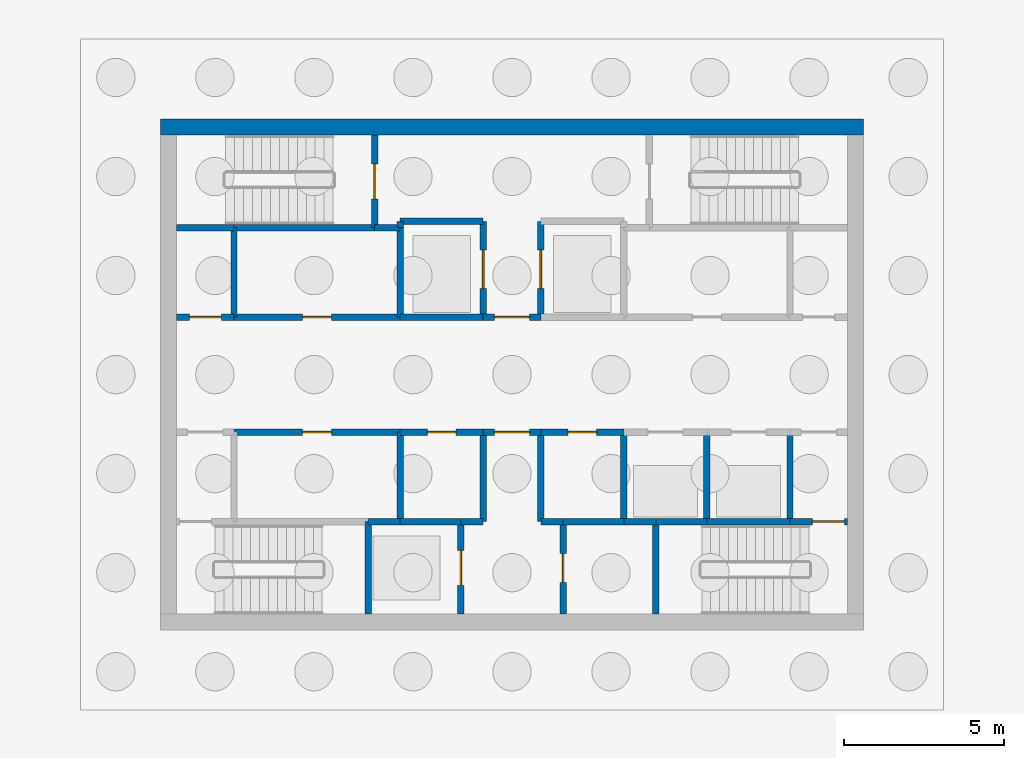
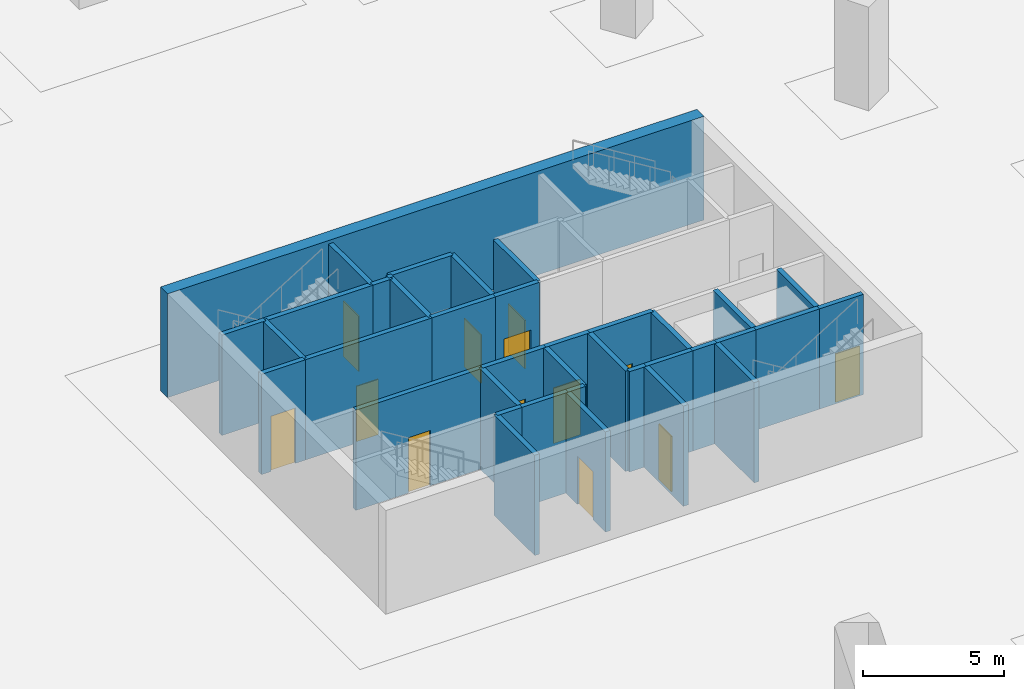
# One storey, part 4 of 8: 38 walls, 13 doors, 13 openings.
"""IFC4 building model written with IfcOpenShell, lengths in metres."""

from ifc_helpers import new_model, si_unit, direction, frame, frame_2d, origin, place, context, subcontext, project, spatial, rectangle, extrude, material, layer, layer_set, type_object, element, fill, save


model = new_model("IFC4")

# Units and contexts
model_context = context("Model", 3, precision=1e-05, world=origin(), true_north=direction((0.0, 1.0)))
body_context = subcontext(model_context, "Body", "Model", "MODEL_VIEW")
ifc_project = project(units=[si_unit("LENGTHUNIT", "METRE"), si_unit("AREAUNIT", "SQUARE_METRE"), si_unit("VOLUMEUNIT", "CUBIC_METRE"), si_unit("PLANEANGLEUNIT", "RADIAN"), si_unit("MASSUNIT", "GRAM", prefix="KILO")], contexts=[model_context])

# Site, building, storey
site_placement = place(None, origin())
site = spatial("IfcSite", under=ifc_project, at=site_placement, CompositionType="ELEMENT")
building_placement = place(site_placement, origin())
building = spatial("IfcBuilding", under=site, at=building_placement, Name="Sierra Prisma Convention Tower", CompositionType="ELEMENT")
storey_placement = place(building_placement, frame((0.0, 0.0, -9.0)))
storey = spatial("IfcBuildingStorey", under=building, at=storey_placement, Name="B2", CompositionType="ELEMENT", Elevation=-9.0)

# Wall, opening, door
ifc_material_1 = material(Name="Concrete C30/37", Category="concrete")
ifc_layer_1 = layer(ifc_material_1, 0.199951171875)
ifc_layer_set_1 = layer_set([ifc_layer_1], Name="Core wall RC 200 C30/37")
wall_type_1 = type_object("IfcWallType", Name="Core wall RC 200 C30/37", PredefinedType="SOLIDWALL", material=ifc_layer_set_1)
wall_1_placement = place(storey_placement, frame((-8.699951171875, 1.800048828125, 0.0), z_axis=(0.0, 0.0, 1.0), x_axis=(-1.0, 0.0, 0.0)))
wall_1 = element("IfcWall", 1, at=wall_1_placement, inside=storey, type_object=wall_type_1, Name="Core wall B2 3", PredefinedType="SOLIDWALL", context=body_context, shape_type="SweptSolid", body=[
    extrude(rectangle(XDim=1.800048828125, YDim=0.199951171875, at=frame_2d((0.89990234375, 0.0))), origin(), (0.0, 0.0, 1.0), 4.35009765625),
])
opening_1_placement = place(wall_1_placement, frame((0.39990234375, 0.0, 0.0)))
opening_1 = element("IfcOpeningElement", 2, at=opening_1_placement, cuts=wall_1, Name="Opening B2-D010", PredefinedType="OPENING", context=body_context, shape_type="SweptSolid", body=[
    extrude(rectangle(XDim=1.0, YDim=2.39990234375, at=frame_2d((0.5, 1.199951171875))), frame((0.0, 0.10009765625, 0.0), z_axis=(0.0, -1.0, 0.0), x_axis=(1.0, 0.0, 0.0)), (0.0, 0.0, 1.0), 0.199951171875),
])
ifc_material_2 = material(Name="Steel fire door leaf", Category="steel")
door_type_1 = type_object("IfcDoorType", Name="Door 1000x2400 FD60S", OperationType="SINGLE_SWING_LEFT", PredefinedType="DOOR", material=ifc_material_2)
door_1_placement = place(opening_1_placement, origin())
door_1 = element("IfcDoor", 3, at=door_1_placement, inside=storey, type_object=door_type_1, Name="Door B2 10", OperationType="SINGLE_SWING_LEFT", OverallHeight=2.39990234375, OverallWidth=1.0, PredefinedType="DOOR", context=body_context, shape_type="SweptSolid", body=[
    extrude(rectangle(XDim=1.0, YDim=2.39990234375, at=frame_2d((0.5, 1.199951171875))), frame((0.0, 0.02490234375, 0.0), z_axis=(0.0, -1.0, 0.0), x_axis=(1.0, 0.0, 0.0)), (0.0, 0.0, 1.0), 0.050048828125),
])
fill(opening_1, door_1)

# Wall
wall_2_placement = place(storey_placement, frame((-8.699951171875, 4.60009765625, 0.0), z_axis=(0.0, 0.0, 1.0), x_axis=(-1.0, 0.0, 0.0)))
element("IfcWall", 4, at=wall_2_placement, inside=storey, type_object=wall_type_1, Name="Core wall B2 4", PredefinedType="SOLIDWALL", context=body_context, shape_type="SweptSolid", body=[
    extrude(rectangle(XDim=1.800048828125, YDim=0.199951171875, at=frame_2d((0.89990234375, 0.0))), origin(), (0.0, 0.0, 1.0), 4.35009765625),
])

# Wall, opening, door
wall_3_placement = place(storey_placement, frame((-3.5, -1.800048828125, 0.0), z_axis=(0.0, 0.0, 1.0), x_axis=(-1.0, 0.0, 0.0)))
wall_3 = element("IfcWall", 5, at=wall_3_placement, inside=storey, type_object=wall_type_1, Name="Core wall B2 7", PredefinedType="SOLIDWALL", context=body_context, shape_type="SweptSolid", body=[
    extrude(rectangle(XDim=5.199951171875, YDim=0.199951171875, at=frame_2d((2.60009765625, 0.0))), origin(), (0.0, 0.0, 1.0), 4.35009765625),
])
opening_2_placement = place(wall_3_placement, frame((2.14990234375, 0.0, 0.0)))
opening_2 = element("IfcOpeningElement", 6, at=opening_2_placement, cuts=wall_3, Name="Opening B2-D017", PredefinedType="OPENING", context=body_context, shape_type="SweptSolid", body=[
    extrude(rectangle(XDim=0.89990234375, YDim=2.39990234375, at=frame_2d((0.449951171875, 1.199951171875))), frame((0.0, 0.10009765625, 0.0), z_axis=(0.0, -1.0, 0.0), x_axis=(1.0, 0.0, 0.0)), (0.0, 0.0, 1.0), 0.199951171875),
])
ifc_material_3 = material(Name="Steel fire door leaf", Category="steel")
door_type_2 = type_object("IfcDoorType", Name="Door 900x2400 FD30S", OperationType="SINGLE_SWING_LEFT", PredefinedType="DOOR", material=ifc_material_3)
door_2_placement = place(opening_2_placement, origin())
door_2 = element("IfcDoor", 7, at=door_2_placement, inside=storey, type_object=door_type_2, Name="Door B2 17", OperationType="SINGLE_SWING_RIGHT", OverallHeight=2.39990234375, OverallWidth=0.89990234375, PredefinedType="DOOR", context=body_context, shape_type="SweptSolid", body=[
    extrude(rectangle(XDim=0.89990234375, YDim=2.39990234375, at=frame_2d((0.449951171875, 1.199951171875))), frame((0.0, 0.02490234375, 0.0), z_axis=(0.0, -1.0, 0.0), x_axis=(1.0, 0.0, 0.0)), (0.0, 0.0, 1.0), 0.050048828125),
])
fill(opening_2, door_2)

wall_4_placement = place(storey_placement, frame((-8.699951171875, 1.800048828125, 0.0), z_axis=(0.0, 0.0, 1.0), x_axis=(1.0, 0.0, 0.0)))
wall_4 = element("IfcWall", 8, at=wall_4_placement, inside=storey, type_object=wall_type_1, Name="Core wall B2 8", PredefinedType="SOLIDWALL", context=body_context, shape_type="SweptSolid", body=[
    extrude(rectangle(XDim=5.199951171875, YDim=0.199951171875, at=frame_2d((2.60009765625, 0.0))), origin(), (0.0, 0.0, 1.0), 4.35009765625),
])
opening_3_placement = place(wall_4_placement, frame((2.14990234375, 0.0, 0.0)))
opening_3 = element("IfcOpeningElement", 9, at=opening_3_placement, cuts=wall_4, Name="Opening B2-D020", PredefinedType="OPENING", context=body_context, shape_type="SweptSolid", body=[
    extrude(rectangle(XDim=0.89990234375, YDim=2.39990234375, at=frame_2d((0.449951171875, 1.199951171875))), frame((0.0, 0.10009765625, 0.0), z_axis=(0.0, -1.0, 0.0), x_axis=(1.0, 0.0, 0.0)), (0.0, 0.0, 1.0), 0.199951171875),
])
door_3_placement = place(opening_3_placement, origin())
door_3 = element("IfcDoor", 10, at=door_3_placement, inside=storey, type_object=door_type_2, Name="Door B2 20", OperationType="SINGLE_SWING_LEFT", OverallHeight=2.39990234375, OverallWidth=0.89990234375, PredefinedType="DOOR", context=body_context, shape_type="SweptSolid", body=[
    extrude(rectangle(XDim=0.89990234375, YDim=2.39990234375, at=frame_2d((0.449951171875, 1.199951171875))), frame((0.0, 0.02490234375, 0.0), z_axis=(0.0, -1.0, 0.0), x_axis=(1.0, 0.0, 0.0)), (0.0, 0.0, 1.0), 0.050048828125),
])
fill(opening_3, door_3)

# Walls
wall_5_placement = place(storey_placement, frame((-8.699951171875, 4.60009765625, 0.0), z_axis=(0.0, 0.0, 1.0), x_axis=(0.0, -1.0, 0.0)))
element("IfcWall", 11, at=wall_5_placement, inside=storey, type_object=wall_type_1, Name="Core wall B2 9", PredefinedType="SOLIDWALL", context=body_context, shape_type="SweptSolid", body=[
    extrude(rectangle(XDim=2.800048828125, YDim=0.199951171875, at=frame_2d((1.39990234375, 0.0))), origin(), (0.0, 0.0, 1.0), 4.35009765625),
])
wall_6_placement = place(storey_placement, frame((-4.300048828125, 4.60009765625, 0.0), z_axis=(0.0, 0.0, 1.0), x_axis=(-1.0, 0.0, 0.0)))
element("IfcWall", 12, at=wall_6_placement, inside=storey, type_object=wall_type_1, Name="Core wall B2 10", PredefinedType="SOLIDWALL", context=body_context, shape_type="SweptSolid", body=[
    extrude(rectangle(XDim=4.39990234375, YDim=0.199951171875, at=frame_2d((2.199951171875, 0.0))), origin(), (0.0, 0.0, 1.0), 4.35009765625),
])
wall_7_placement = place(storey_placement, frame((-4.5, -4.60009765625, 0.0), z_axis=(0.0, 0.0, 1.0), x_axis=(0.0, -1.0, 0.0)))
element("IfcWall", 13, at=wall_7_placement, inside=storey, type_object=wall_type_1, Name="Core wall B2 11", PredefinedType="SOLIDWALL", context=body_context, shape_type="SweptSolid", body=[
    extrude(rectangle(XDim=2.89990234375, YDim=0.199951171875, at=frame_2d((1.449951171875, 0.0))), origin(), (0.0, 0.0, 1.0), 4.35009765625),
])
wall_8_placement = place(storey_placement, frame((-4.5, -4.60009765625, 0.0), z_axis=(0.0, 0.0, 1.0), x_axis=(1.0, 0.0, 0.0)))
element("IfcWall", 14, at=wall_8_placement, inside=storey, type_object=wall_type_1, Name="Core wall B2 12", PredefinedType="SOLIDWALL", context=body_context, shape_type="SweptSolid", body=[
    extrude(rectangle(XDim=1.0, YDim=0.199951171875, at=frame_2d((0.5, 0.0))), origin(), (0.0, 0.0, 1.0), 4.35009765625),
])
wall_9_placement = place(storey_placement, frame((-3.5, 4.60009765625, 0.0), z_axis=(0.0, 0.0, 1.0), x_axis=(-1.0, 0.0, 0.0)))
element("IfcWall", 15, at=wall_9_placement, inside=storey, type_object=wall_type_1, Name="Core wall B2 13", PredefinedType="SOLIDWALL", context=body_context, shape_type="SweptSolid", body=[
    extrude(rectangle(XDim=0.800048828125, YDim=0.199951171875, at=frame_2d((0.39990234375, 0.0))), origin(), (0.0, 0.0, 1.0), 4.35009765625),
])

# Wall, opening, door
wall_10_placement = place(storey_placement, frame((-4.300048828125, 4.60009765625, 0.0), z_axis=(0.0, 0.0, 1.0), x_axis=(0.0, 1.0, 0.0)))
wall_10 = element("IfcWall", 16, at=wall_10_placement, inside=storey, type_object=wall_type_1, Name="Core wall B2 14", PredefinedType="SOLIDWALL", context=body_context, shape_type="SweptSolid", body=[
    extrude(rectangle(XDim=2.89990234375, YDim=0.199951171875, at=frame_2d((1.449951171875, 0.0))), origin(), (0.0, 0.0, 1.0), 4.35009765625),
])
opening_4_placement = place(wall_10_placement, frame((0.89990234375, 0.0, 0.0)))
opening_4 = element("IfcOpeningElement", 17, at=opening_4_placement, cuts=wall_10, Name="Opening B2-D014", PredefinedType="OPENING", context=body_context, shape_type="SweptSolid", body=[
    extrude(rectangle(XDim=1.10009765625, YDim=2.39990234375, at=frame_2d((0.550048828125, 1.199951171875))), frame((0.0, 0.10009765625, 0.0), z_axis=(0.0, -1.0, 0.0), x_axis=(1.0, 0.0, 0.0)), (0.0, 0.0, 1.0), 0.199951171875),
])
ifc_material_4 = material(Name="Steel fire door leaf", Category="steel")
door_type_3 = type_object("IfcDoorType", Name="Door 1100x2400 FD90S", OperationType="SINGLE_SWING_LEFT", PredefinedType="DOOR", material=ifc_material_4)
door_4_placement = place(opening_4_placement, origin())
door_4 = element("IfcDoor", 18, at=door_4_placement, inside=storey, type_object=door_type_3, Name="Door B2 14", OperationType="SINGLE_SWING_RIGHT", OverallHeight=2.39990234375, OverallWidth=1.10009765625, PredefinedType="DOOR", context=body_context, shape_type="SweptSolid", body=[
    extrude(rectangle(XDim=1.10009765625, YDim=2.39990234375, at=frame_2d((0.550048828125, 1.199951171875))), frame((0.0, 0.02490234375, 0.0), z_axis=(0.0, -1.0, 0.0), x_axis=(1.0, 0.0, 0.0)), (0.0, 0.0, 1.0), 0.050048828125),
])
fill(opening_4, door_4)

# Walls
wall_11_placement = place(storey_placement, frame((-3.5, -4.60009765625, 0.0), z_axis=(0.0, 0.0, 1.0), x_axis=(1.0, 0.0, 0.0)))
element("IfcWall", 19, at=wall_11_placement, inside=storey, type_object=wall_type_1, Name="Core wall B2 15", PredefinedType="SOLIDWALL", context=body_context, shape_type="SweptSolid", body=[
    extrude(rectangle(XDim=1.89990234375, YDim=0.199951171875, at=frame_2d((0.949951171875, 0.0))), origin(), (0.0, 0.0, 1.0), 4.35009765625),
])
wall_12_placement = place(storey_placement, frame((-3.5, -4.60009765625, 0.0), z_axis=(0.0, 0.0, 1.0), x_axis=(0.0, 1.0, 0.0)))
element("IfcWall", 20, at=wall_12_placement, inside=storey, type_object=wall_type_1, Name="Core wall B2 16", PredefinedType="SOLIDWALL", context=body_context, shape_type="SweptSolid", body=[
    extrude(rectangle(XDim=2.800048828125, YDim=0.199951171875, at=frame_2d((1.39990234375, 0.0))), origin(), (0.0, 0.0, 1.0), 4.35009765625),
])

# Wall, opening, door
wall_13_placement = place(storey_placement, frame((-0.89990234375, -1.800048828125, 0.0), z_axis=(0.0, 0.0, 1.0), x_axis=(-1.0, 0.0, 0.0)))
wall_13 = element("IfcWall", 21, at=wall_13_placement, inside=storey, type_object=wall_type_1, Name="Core wall B2 17", PredefinedType="SOLIDWALL", context=body_context, shape_type="SweptSolid", body=[
    extrude(rectangle(XDim=2.60009765625, YDim=0.199951171875, at=frame_2d((1.300048828125, 0.0))), origin(), (0.0, 0.0, 1.0), 4.35009765625),
])
opening_5_placement = place(wall_13_placement, frame((0.85009765625, 0.0, 0.0)))
opening_5 = element("IfcOpeningElement", 22, at=opening_5_placement, cuts=wall_13, Name="Opening B2-D018", PredefinedType="OPENING", context=body_context, shape_type="SweptSolid", body=[
    extrude(rectangle(XDim=0.89990234375, YDim=2.39990234375, at=frame_2d((0.449951171875, 1.199951171875))), frame((0.0, 0.10009765625, 0.0), z_axis=(0.0, -1.0, 0.0), x_axis=(1.0, 0.0, 0.0)), (0.0, 0.0, 1.0), 0.199951171875),
])
door_5_placement = place(opening_5_placement, origin())
door_5 = element("IfcDoor", 23, at=door_5_placement, inside=storey, type_object=door_type_2, Name="Door B2 18", OperationType="SINGLE_SWING_LEFT", OverallHeight=2.39990234375, OverallWidth=0.89990234375, PredefinedType="DOOR", context=body_context, shape_type="SweptSolid", body=[
    extrude(rectangle(XDim=0.89990234375, YDim=2.39990234375, at=frame_2d((0.449951171875, 1.199951171875))), frame((0.0, 0.02490234375, 0.0), z_axis=(0.0, -1.0, 0.0), x_axis=(1.0, 0.0, 0.0)), (0.0, 0.0, 1.0), 0.050048828125),
])
fill(opening_5, door_5)

# Walls
wall_14_placement = place(storey_placement, frame((-0.89990234375, 1.800048828125, 0.0), z_axis=(0.0, 0.0, 1.0), x_axis=(-1.0, 0.0, 0.0)))
element("IfcWall", 24, at=wall_14_placement, inside=storey, type_object=wall_type_1, Name="Core wall B2 18", PredefinedType="SOLIDWALL", context=body_context, shape_type="SweptSolid", body=[
    extrude(rectangle(XDim=2.60009765625, YDim=0.199951171875, at=frame_2d((1.300048828125, 0.0))), origin(), (0.0, 0.0, 1.0), 4.35009765625),
])
wall_15_placement = place(storey_placement, frame((-3.5, 1.800048828125, 0.0), z_axis=(0.0, 0.0, 1.0), x_axis=(0.0, 1.0, 0.0)))
element("IfcWall", 25, at=wall_15_placement, inside=storey, type_object=wall_type_1, Name="Core wall B2 19", PredefinedType="SOLIDWALL", context=body_context, shape_type="SweptSolid", body=[
    extrude(rectangle(XDim=2.800048828125, YDim=0.199951171875, at=frame_2d((1.39990234375, 0.0))), origin(), (0.0, 0.0, 1.0), 4.35009765625),
])

# Wall, opening, door
wall_16_placement = place(storey_placement, frame((-0.89990234375, 1.800048828125, 0.0), z_axis=(0.0, 0.0, 1.0), x_axis=(0.0, 1.0, 0.0)))
wall_16 = element("IfcWall", 26, at=wall_16_placement, inside=storey, type_object=wall_type_1, Name="Core wall B2 20", PredefinedType="SOLIDWALL", context=body_context, shape_type="SweptSolid", body=[
    extrude(rectangle(XDim=3.0, YDim=0.199951171875, at=frame_2d((1.5, 0.0))), origin(), (0.0, 0.0, 1.0), 4.35009765625),
])
opening_6_placement = place(wall_16_placement, frame((0.89990234375, 0.0, 0.0)))
opening_6 = element("IfcOpeningElement", 27, at=opening_6_placement, cuts=wall_16, Name="Opening B2-D003", PredefinedType="OPENING", context=body_context, shape_type="SweptSolid", body=[
    extrude(rectangle(XDim=1.199951171875, YDim=2.10009765625, at=frame_2d((0.60009765625, 1.050048828125))), frame((0.0, 0.10009765625, 0.0), z_axis=(0.0, -1.0, 0.0), x_axis=(1.0, 0.0, 0.0)), (0.0, 0.0, 1.0), 0.199951171875),
])
ifc_material_5 = material(Name="Steel fire door leaf", Category="steel")
door_type_4 = type_object("IfcDoorType", Name="Door 1200x2100 EI 90 sliding lift landing", OperationType="SLIDING_TO_LEFT", PredefinedType="DOOR", material=ifc_material_5)
door_6_placement = place(opening_6_placement, origin())
door_6 = element("IfcDoor", 28, at=door_6_placement, inside=storey, type_object=door_type_4, Name="Door B2 3", OperationType="SLIDING_TO_LEFT", OverallHeight=2.10009765625, OverallWidth=1.199951171875, PredefinedType="DOOR", context=body_context, shape_type="SweptSolid", body=[
    extrude(rectangle(XDim=1.199951171875, YDim=2.10009765625, at=frame_2d((0.60009765625, 1.050048828125))), frame((0.0, 0.02490234375, 0.0), z_axis=(0.0, -1.0, 0.0), x_axis=(1.0, 0.0, 0.0)), (0.0, 0.0, 1.0), 0.050048828125),
])
fill(opening_6, door_6)

# Walls
wall_17_placement = place(storey_placement, frame((-0.89990234375, 4.800048828125, 0.0), z_axis=(0.0, 0.0, 1.0), x_axis=(-1.0, 0.0, 0.0)))
element("IfcWall", 29, at=wall_17_placement, inside=storey, type_object=wall_type_1, Name="Core wall B2 21", PredefinedType="SOLIDWALL", context=body_context, shape_type="SweptSolid", body=[
    extrude(rectangle(XDim=2.60009765625, YDim=0.199951171875, at=frame_2d((1.300048828125, 0.0))), origin(), (0.0, 0.0, 1.0), 4.35009765625),
])
wall_18_placement = place(storey_placement, frame((-3.5, 4.800048828125, 0.0), z_axis=(0.0, 0.0, 1.0), x_axis=(0.0, -1.0, 0.0)))
element("IfcWall", 30, at=wall_18_placement, inside=storey, type_object=wall_type_1, Name="Core wall B2 22", PredefinedType="SOLIDWALL", context=body_context, shape_type="SweptSolid", body=[
    extrude(rectangle(XDim=0.199951171875, YDim=0.199951171875, at=frame_2d((0.10009765625, 0.0))), origin(), (0.0, 0.0, 1.0), 4.35009765625),
])

# Wall, opening, door
wall_19_placement = place(storey_placement, frame((-1.60009765625, -7.5, 0.0), z_axis=(0.0, 0.0, 1.0), x_axis=(0.0, 1.0, 0.0)))
wall_19 = element("IfcWall", 31, at=wall_19_placement, inside=storey, type_object=wall_type_1, Name="Core wall B2 23", PredefinedType="SOLIDWALL", context=body_context, shape_type="SweptSolid", body=[
    extrude(rectangle(XDim=2.89990234375, YDim=0.199951171875, at=frame_2d((1.449951171875, 0.0))), origin(), (0.0, 0.0, 1.0), 4.35009765625),
])
opening_7_placement = place(wall_19_placement, frame((0.89990234375, 0.0, 0.0)))
opening_7 = element("IfcOpeningElement", 32, at=opening_7_placement, cuts=wall_19, Name="Opening B2-D005", PredefinedType="OPENING", context=body_context, shape_type="SweptSolid", body=[
    extrude(rectangle(XDim=1.10009765625, YDim=2.10009765625, at=frame_2d((0.550048828125, 1.050048828125))), frame((0.0, 0.10009765625, 0.0), z_axis=(0.0, -1.0, 0.0), x_axis=(1.0, 0.0, 0.0)), (0.0, 0.0, 1.0), 0.199951171875),
])
ifc_material_6 = material(Name="Steel fire door leaf", Category="steel")
door_type_5 = type_object("IfcDoorType", Name="Door 1100x2100 EI 90 sliding lift landing", OperationType="SLIDING_TO_LEFT", PredefinedType="DOOR", material=ifc_material_6)
door_7_placement = place(opening_7_placement, origin())
door_7 = element("IfcDoor", 33, at=door_7_placement, inside=storey, type_object=door_type_5, Name="Door B2 5", OperationType="SLIDING_TO_LEFT", OverallHeight=2.10009765625, OverallWidth=1.10009765625, PredefinedType="DOOR", context=body_context, shape_type="SweptSolid", body=[
    extrude(rectangle(XDim=1.10009765625, YDim=2.10009765625, at=frame_2d((0.550048828125, 1.050048828125))), frame((0.0, 0.02490234375, 0.0), z_axis=(0.0, -1.0, 0.0), x_axis=(1.0, 0.0, 0.0)), (0.0, 0.0, 1.0), 0.050048828125),
])
fill(opening_7, door_7)

# Walls
wall_20_placement = place(storey_placement, frame((-1.60009765625, -4.60009765625, 0.0), z_axis=(0.0, 0.0, 1.0), x_axis=(1.0, 0.0, 0.0)))
element("IfcWall", 34, at=wall_20_placement, inside=storey, type_object=wall_type_1, Name="Core wall B2 24", PredefinedType="SOLIDWALL", context=body_context, shape_type="SweptSolid", body=[
    extrude(rectangle(XDim=0.7001953125, YDim=0.199951171875, at=frame_2d((0.35009765625, 0.0))), origin(), (0.0, 0.0, 1.0), 4.35009765625),
])
wall_21_placement = place(storey_placement, frame((-0.89990234375, -4.60009765625, 0.0), z_axis=(0.0, 0.0, 1.0), x_axis=(0.0, 1.0, 0.0)))
element("IfcWall", 35, at=wall_21_placement, inside=storey, type_object=wall_type_1, Name="Core wall B2 25", PredefinedType="SOLIDWALL", context=body_context, shape_type="SweptSolid", body=[
    extrude(rectangle(XDim=2.800048828125, YDim=0.199951171875, at=frame_2d((1.39990234375, 0.0))), origin(), (0.0, 0.0, 1.0), 4.35009765625),
])

# Wall, opening, door
wall_22_placement = place(storey_placement, frame((-0.89990234375, -1.800048828125, 0.0), z_axis=(0.0, 0.0, 1.0), x_axis=(1.0, 0.0, 0.0)))
wall_22 = element("IfcWall", 36, at=wall_22_placement, inside=storey, type_object=wall_type_1, Name="Core wall B2 26", PredefinedType="SOLIDWALL", context=body_context, shape_type="SweptSolid", body=[
    extrude(rectangle(XDim=1.7998046875, YDim=0.199951171875, at=frame_2d((0.89990234375, 0.0))), origin(), (0.0, 0.0, 1.0), 4.35009765625),
])
opening_8_placement = place(wall_22_placement, frame((0.35009765625, 0.0, 0.0)))
opening_8 = element("IfcOpeningElement", 37, at=opening_8_placement, cuts=wall_22, Name="Opening B2-D009", PredefinedType="OPENING", context=body_context, shape_type="SweptSolid", body=[
    extrude(rectangle(XDim=1.10009765625, YDim=2.39990234375, at=frame_2d((0.550048828125, 1.199951171875))), frame((0.0, 0.10009765625, 0.0), z_axis=(0.0, -1.0, 0.0), x_axis=(1.0, 0.0, 0.0)), (0.0, 0.0, 1.0), 0.199951171875),
])
ifc_material_7 = material(Name="Steel fire door leaf", Category="steel")
door_type_6 = type_object("IfcDoorType", Name="Door 1100x2400 FD30S", OperationType="SINGLE_SWING_LEFT", PredefinedType="DOOR", material=ifc_material_7)
door_8_placement = place(opening_8_placement, origin())
door_8 = element("IfcDoor", 38, at=door_8_placement, inside=storey, type_object=door_type_6, Name="Door B2 9", OperationType="SINGLE_SWING_LEFT", OverallHeight=2.39990234375, OverallWidth=1.10009765625, PredefinedType="DOOR", context=body_context, shape_type="SweptSolid", body=[
    extrude(rectangle(XDim=1.10009765625, YDim=2.39990234375, at=frame_2d((0.550048828125, 1.199951171875))), frame((0.0, 0.02490234375, 0.0), z_axis=(0.0, -1.0, 0.0), x_axis=(1.0, 0.0, 0.0)), (0.0, 0.0, 1.0), 0.050048828125),
])
fill(opening_8, door_8)

wall_23_placement = place(storey_placement, frame((0.89990234375, 1.800048828125, 0.0), z_axis=(0.0, 0.0, 1.0), x_axis=(-1.0, 0.0, 0.0)))
wall_23 = element("IfcWall", 39, at=wall_23_placement, inside=storey, type_object=wall_type_1, Name="Core wall B2 27", PredefinedType="SOLIDWALL", context=body_context, shape_type="SweptSolid", body=[
    extrude(rectangle(XDim=1.7998046875, YDim=0.199951171875, at=frame_2d((0.89990234375, 0.0))), origin(), (0.0, 0.0, 1.0), 4.35009765625),
])
opening_9_placement = place(wall_23_placement, frame((0.35009765625, 0.0, 0.0)))
opening_9 = element("IfcOpeningElement", 40, at=opening_9_placement, cuts=wall_23, Name="Opening B2-D008", PredefinedType="OPENING", context=body_context, shape_type="SweptSolid", body=[
    extrude(rectangle(XDim=1.10009765625, YDim=2.39990234375, at=frame_2d((0.550048828125, 1.199951171875))), frame((0.0, 0.10009765625, 0.0), z_axis=(0.0, -1.0, 0.0), x_axis=(1.0, 0.0, 0.0)), (0.0, 0.0, 1.0), 0.199951171875),
])
ifc_material_8 = material(Name="Steel fire door leaf", Category="steel")
door_type_7 = type_object("IfcDoorType", Name="Door 1100x2400 FD60S", OperationType="SINGLE_SWING_LEFT", PredefinedType="DOOR", material=ifc_material_8)
door_9_placement = place(opening_9_placement, origin())
door_9 = element("IfcDoor", 41, at=door_9_placement, inside=storey, type_object=door_type_7, Name="Door B2 8", OperationType="SINGLE_SWING_LEFT", OverallHeight=2.39990234375, OverallWidth=1.10009765625, PredefinedType="DOOR", context=body_context, shape_type="SweptSolid", body=[
    extrude(rectangle(XDim=1.10009765625, YDim=2.39990234375, at=frame_2d((0.550048828125, 1.199951171875))), frame((0.0, 0.02490234375, 0.0), z_axis=(0.0, -1.0, 0.0), x_axis=(1.0, 0.0, 0.0)), (0.0, 0.0, 1.0), 0.050048828125),
])
fill(opening_9, door_9)

wall_24_placement = place(storey_placement, frame((3.5, -1.800048828125, 0.0), z_axis=(0.0, 0.0, 1.0), x_axis=(-1.0, 0.0, 0.0)))
wall_24 = element("IfcWall", 42, at=wall_24_placement, inside=storey, type_object=wall_type_1, Name="Core wall B2 28", PredefinedType="SOLIDWALL", context=body_context, shape_type="SweptSolid", body=[
    extrude(rectangle(XDim=2.60009765625, YDim=0.199951171875, at=frame_2d((1.300048828125, 0.0))), origin(), (0.0, 0.0, 1.0), 4.35009765625),
])
opening_10_placement = place(wall_24_placement, frame((0.85009765625, 0.0, 0.0)))
opening_10 = element("IfcOpeningElement", 43, at=opening_10_placement, cuts=wall_24, Name="Opening B2-D019", PredefinedType="OPENING", context=body_context, shape_type="SweptSolid", body=[
    extrude(rectangle(XDim=0.89990234375, YDim=2.39990234375, at=frame_2d((0.449951171875, 1.199951171875))), frame((0.0, 0.10009765625, 0.0), z_axis=(0.0, -1.0, 0.0), x_axis=(1.0, 0.0, 0.0)), (0.0, 0.0, 1.0), 0.199951171875),
])
door_10_placement = place(opening_10_placement, origin())
door_10 = element("IfcDoor", 44, at=door_10_placement, inside=storey, type_object=door_type_2, Name="Door B2 19", OperationType="SINGLE_SWING_RIGHT", OverallHeight=2.39990234375, OverallWidth=0.89990234375, PredefinedType="DOOR", context=body_context, shape_type="SweptSolid", body=[
    extrude(rectangle(XDim=0.89990234375, YDim=2.39990234375, at=frame_2d((0.449951171875, 1.199951171875))), frame((0.0, 0.02490234375, 0.0), z_axis=(0.0, -1.0, 0.0), x_axis=(1.0, 0.0, 0.0)), (0.0, 0.0, 1.0), 0.050048828125),
])
fill(opening_10, door_10)

# Walls
wall_25_placement = place(storey_placement, frame((0.89990234375, -1.800048828125, 0.0), z_axis=(0.0, 0.0, 1.0), x_axis=(0.0, -1.0, 0.0)))
element("IfcWall", 45, at=wall_25_placement, inside=storey, type_object=wall_type_1, Name="Core wall B2 29", PredefinedType="SOLIDWALL", context=body_context, shape_type="SweptSolid", body=[
    extrude(rectangle(XDim=2.800048828125, YDim=0.199951171875, at=frame_2d((1.39990234375, 0.0))), origin(), (0.0, 0.0, 1.0), 4.35009765625),
])
wall_26_placement = place(storey_placement, frame((0.89990234375, -4.60009765625, 0.0), z_axis=(0.0, 0.0, 1.0), x_axis=(1.0, 0.0, 0.0)))
element("IfcWall", 46, at=wall_26_placement, inside=storey, type_object=wall_type_1, Name="Core wall B2 30", PredefinedType="SOLIDWALL", context=body_context, shape_type="SweptSolid", body=[
    extrude(rectangle(XDim=0.7001953125, YDim=0.199951171875, at=frame_2d((0.35009765625, 0.0))), origin(), (0.0, 0.0, 1.0), 4.35009765625),
])

# Wall, opening, door
wall_27_placement = place(storey_placement, frame((0.89990234375, 4.800048828125, 0.0), z_axis=(0.0, 0.0, 1.0), x_axis=(0.0, -1.0, 0.0)))
wall_27 = element("IfcWall", 47, at=wall_27_placement, inside=storey, type_object=wall_type_1, Name="Core wall B2 34", PredefinedType="SOLIDWALL", context=body_context, shape_type="SweptSolid", body=[
    extrude(rectangle(XDim=3.0, YDim=0.199951171875, at=frame_2d((1.5, 0.0))), origin(), (0.0, 0.0, 1.0), 4.35009765625),
])
opening_11_placement = place(wall_27_placement, frame((0.89990234375, 0.0, 0.0)))
opening_11 = element("IfcOpeningElement", 48, at=opening_11_placement, cuts=wall_27, Name="Opening B2-D004", PredefinedType="OPENING", context=body_context, shape_type="SweptSolid", body=[
    extrude(rectangle(XDim=1.199951171875, YDim=2.10009765625, at=frame_2d((0.60009765625, 1.050048828125))), frame((0.0, 0.10009765625, 0.0), z_axis=(0.0, -1.0, 0.0), x_axis=(1.0, 0.0, 0.0)), (0.0, 0.0, 1.0), 0.199951171875),
])
door_11_placement = place(opening_11_placement, origin())
door_11 = element("IfcDoor", 49, at=door_11_placement, inside=storey, type_object=door_type_4, Name="Door B2 4", OperationType="SLIDING_TO_RIGHT", OverallHeight=2.10009765625, OverallWidth=1.199951171875, PredefinedType="DOOR", context=body_context, shape_type="SweptSolid", body=[
    extrude(rectangle(XDim=1.199951171875, YDim=2.10009765625, at=frame_2d((0.60009765625, 1.050048828125))), frame((0.0, 0.02490234375, 0.0), z_axis=(0.0, -1.0, 0.0), x_axis=(1.0, 0.0, 0.0)), (0.0, 0.0, 1.0), 0.050048828125),
])
fill(opening_11, door_11)

wall_28_placement = place(storey_placement, frame((1.60009765625, -4.60009765625, 0.0), z_axis=(0.0, 0.0, 1.0), x_axis=(0.0, -1.0, 0.0)))
wall_28 = element("IfcWall", 50, at=wall_28_placement, inside=storey, type_object=wall_type_1, Name="Core wall B2 35", PredefinedType="SOLIDWALL", context=body_context, shape_type="SweptSolid", body=[
    extrude(rectangle(XDim=2.89990234375, YDim=0.199951171875, at=frame_2d((1.449951171875, 0.0))), origin(), (0.0, 0.0, 1.0), 4.35009765625),
])
opening_12_placement = place(wall_28_placement, frame((1.0, 0.0, 0.0)))
opening_12 = element("IfcOpeningElement", 51, at=opening_12_placement, cuts=wall_28, Name="Opening B2-D021", PredefinedType="OPENING", context=body_context, shape_type="SweptSolid", body=[
    extrude(rectangle(XDim=0.89990234375, YDim=2.39990234375, at=frame_2d((0.449951171875, 1.199951171875))), frame((0.0, 0.10009765625, 0.0), z_axis=(0.0, -1.0, 0.0), x_axis=(1.0, 0.0, 0.0)), (0.0, 0.0, 1.0), 0.199951171875),
])
door_12_placement = place(opening_12_placement, origin())
door_12 = element("IfcDoor", 52, at=door_12_placement, inside=storey, type_object=door_type_2, Name="Door B2 21", OperationType="SINGLE_SWING_RIGHT", OverallHeight=2.39990234375, OverallWidth=0.89990234375, PredefinedType="DOOR", context=body_context, shape_type="SweptSolid", body=[
    extrude(rectangle(XDim=0.89990234375, YDim=2.39990234375, at=frame_2d((0.449951171875, 1.199951171875))), frame((0.0, 0.02490234375, 0.0), z_axis=(0.0, -1.0, 0.0), x_axis=(1.0, 0.0, 0.0)), (0.0, 0.0, 1.0), 0.050048828125),
])
fill(opening_12, door_12)

# Walls
wall_29_placement = place(storey_placement, frame((1.60009765625, -4.60009765625, 0.0), z_axis=(0.0, 0.0, 1.0), x_axis=(1.0, 0.0, 0.0)))
element("IfcWall", 53, at=wall_29_placement, inside=storey, type_object=wall_type_1, Name="Core wall B2 36", PredefinedType="SOLIDWALL", context=body_context, shape_type="SweptSolid", body=[
    extrude(rectangle(XDim=1.89990234375, YDim=0.199951171875, at=frame_2d((0.949951171875, 0.0))), origin(), (0.0, 0.0, 1.0), 4.35009765625),
])
wall_30_placement = place(storey_placement, frame((4.5, -4.60009765625, 0.0), z_axis=(0.0, 0.0, 1.0), x_axis=(-1.0, 0.0, 0.0)))
element("IfcWall", 54, at=wall_30_placement, inside=storey, type_object=wall_type_1, Name="Core wall B2 37", PredefinedType="SOLIDWALL", context=body_context, shape_type="SweptSolid", body=[
    extrude(rectangle(XDim=1.0, YDim=0.199951171875, at=frame_2d((0.5, 0.0))), origin(), (0.0, 0.0, 1.0), 4.35009765625),
])
wall_31_placement = place(storey_placement, frame((3.5, -4.60009765625, 0.0), z_axis=(0.0, 0.0, 1.0), x_axis=(0.0, 1.0, 0.0)))
element("IfcWall", 55, at=wall_31_placement, inside=storey, type_object=wall_type_1, Name="Core wall B2 38", PredefinedType="SOLIDWALL", context=body_context, shape_type="SweptSolid", body=[
    extrude(rectangle(XDim=2.800048828125, YDim=0.199951171875, at=frame_2d((1.39990234375, 0.0))), origin(), (0.0, 0.0, 1.0), 4.35009765625),
])
wall_32_placement = place(storey_placement, frame((4.5, -7.5, 0.0), z_axis=(0.0, 0.0, 1.0), x_axis=(0.0, 1.0, 0.0)))
element("IfcWall", 56, at=wall_32_placement, inside=storey, type_object=wall_type_1, Name="Core wall B2 45", PredefinedType="SOLIDWALL", context=body_context, shape_type="SweptSolid", body=[
    extrude(rectangle(XDim=2.89990234375, YDim=0.199951171875, at=frame_2d((1.449951171875, 0.0))), origin(), (0.0, 0.0, 1.0), 4.35009765625),
])
wall_33_placement = place(storey_placement, frame((4.5, -4.60009765625, 0.0), z_axis=(0.0, 0.0, 1.0), x_axis=(1.0, 0.0, 0.0)))
element("IfcWall", 57, at=wall_33_placement, inside=storey, type_object=wall_type_1, Name="Core wall B2 46", PredefinedType="SOLIDWALL", context=body_context, shape_type="SweptSolid", body=[
    extrude(rectangle(XDim=1.60009765625, YDim=0.199951171875, at=frame_2d((0.800048828125, 0.0))), origin(), (0.0, 0.0, 1.0), 4.35009765625),
])
wall_34_placement = place(storey_placement, frame((6.10009765625, -4.60009765625, 0.0), z_axis=(0.0, 0.0, 1.0), x_axis=(1.0, 0.0, 0.0)))
element("IfcWall", 58, at=wall_34_placement, inside=storey, type_object=wall_type_1, Name="Core wall B2 47", PredefinedType="SOLIDWALL", context=body_context, shape_type="SweptSolid", body=[
    extrude(rectangle(XDim=2.599853515625, YDim=0.199951171875, at=frame_2d((1.2998046875, 0.0))), origin(), (0.0, 0.0, 1.0), 4.35009765625),
])
wall_35_placement = place(storey_placement, frame((6.10009765625, -4.60009765625, 0.0), z_axis=(0.0, 0.0, 1.0), x_axis=(0.0, 1.0, 0.0)))
element("IfcWall", 59, at=wall_35_placement, inside=storey, type_object=wall_type_1, Name="Core wall B2 48", PredefinedType="SOLIDWALL", context=body_context, shape_type="SweptSolid", body=[
    extrude(rectangle(XDim=2.800048828125, YDim=0.199951171875, at=frame_2d((1.39990234375, 0.0))), origin(), (0.0, 0.0, 1.0), 4.35009765625),
])

# Wall, opening, door
wall_36_placement = place(storey_placement, frame((8.699951171875, -4.60009765625, 0.0), z_axis=(0.0, 0.0, 1.0), x_axis=(1.0, 0.0, 0.0)))
wall_36 = element("IfcWall", 60, at=wall_36_placement, inside=storey, type_object=wall_type_1, Name="Core wall B2 50", PredefinedType="SOLIDWALL", context=body_context, shape_type="SweptSolid", body=[
    extrude(rectangle(XDim=1.800048828125, YDim=0.199951171875, at=frame_2d((0.89990234375, 0.0))), origin(), (0.0, 0.0, 1.0), 4.35009765625),
])
opening_13_placement = place(wall_36_placement, frame((0.699951171875, 0.0, 0.0)))
opening_13 = element("IfcOpeningElement", 61, at=opening_13_placement, cuts=wall_36, Name="Opening B2-D013", PredefinedType="OPENING", context=body_context, shape_type="SweptSolid", body=[
    extrude(rectangle(XDim=1.0, YDim=2.10009765625, at=frame_2d((0.5, 1.050048828125))), frame((0.0, 0.10009765625, 0.0), z_axis=(0.0, -1.0, 0.0), x_axis=(1.0, 0.0, 0.0)), (0.0, 0.0, 1.0), 0.199951171875),
])
ifc_material_9 = material(Name="Steel fire door leaf", Category="steel")
door_type_8 = type_object("IfcDoorType", Name="Door 1000x2100 FD90S", OperationType="SINGLE_SWING_LEFT", PredefinedType="DOOR", material=ifc_material_9)
door_13_placement = place(opening_13_placement, origin())
door_13 = element("IfcDoor", 62, at=door_13_placement, inside=storey, type_object=door_type_8, Name="Door B2 13", OperationType="SINGLE_SWING_RIGHT", OverallHeight=2.10009765625, OverallWidth=1.0, PredefinedType="DOOR", context=body_context, shape_type="SweptSolid", body=[
    extrude(rectangle(XDim=1.0, YDim=2.10009765625, at=frame_2d((0.5, 1.050048828125))), frame((0.0, 0.02490234375, 0.0), z_axis=(0.0, -1.0, 0.0), x_axis=(1.0, 0.0, 0.0)), (0.0, 0.0, 1.0), 0.050048828125),
])
fill(opening_13, door_13)

# Walls
wall_37_placement = place(storey_placement, frame((8.699951171875, -1.800048828125, 0.0), z_axis=(0.0, 0.0, 1.0), x_axis=(0.0, -1.0, 0.0)))
element("IfcWall", 63, at=wall_37_placement, inside=storey, type_object=wall_type_1, Name="Core wall B2 51", PredefinedType="SOLIDWALL", context=body_context, shape_type="SweptSolid", body=[
    extrude(rectangle(XDim=2.800048828125, YDim=0.199951171875, at=frame_2d((1.39990234375, 0.0))), origin(), (0.0, 0.0, 1.0), 4.35009765625),
])
ifc_material_10 = material(Name="Concrete C70/85", Category="concrete")
ifc_layer_2 = layer(ifc_material_10, 0.5)
ifc_layer_set_2 = layer_set([ifc_layer_2], Name="Core wall RC 500 C70/85")
wall_type_2 = type_object("IfcWallType", Name="Core wall RC 500 C70/85", PredefinedType="SHEAR", material=ifc_layer_set_2)
wall_38_placement = place(storey_placement, frame((-11.0, 7.75, 0.0), z_axis=(0.0, 0.0, 1.0), x_axis=(1.0, 0.0, 0.0)))
element("IfcWall", 64, at=wall_38_placement, inside=storey, type_object=wall_type_2, Name="Core wall N B2", PredefinedType="SHEAR", context=body_context, shape_type="SweptSolid", body=[
    extrude(rectangle(XDim=22.0, YDim=0.5, at=frame_2d((11.0, 0.0))), origin(), (0.0, 0.0, 1.0), 4.5),
])

save(model, "model.ifc")
